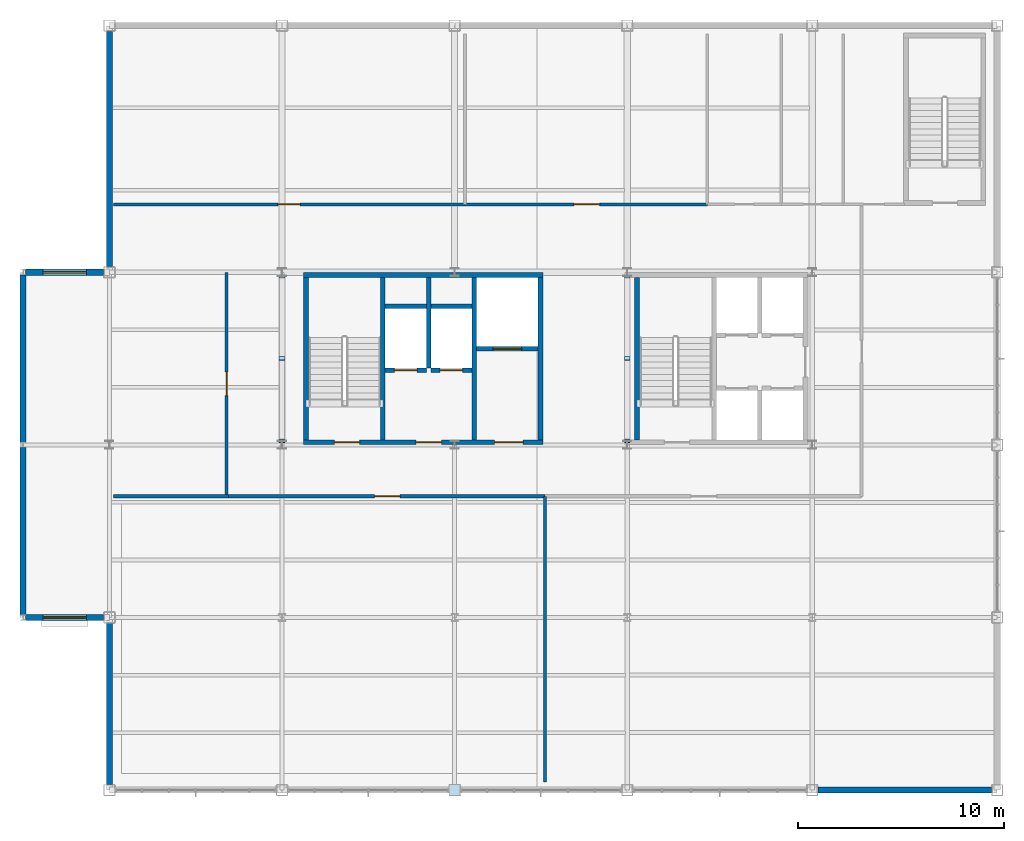
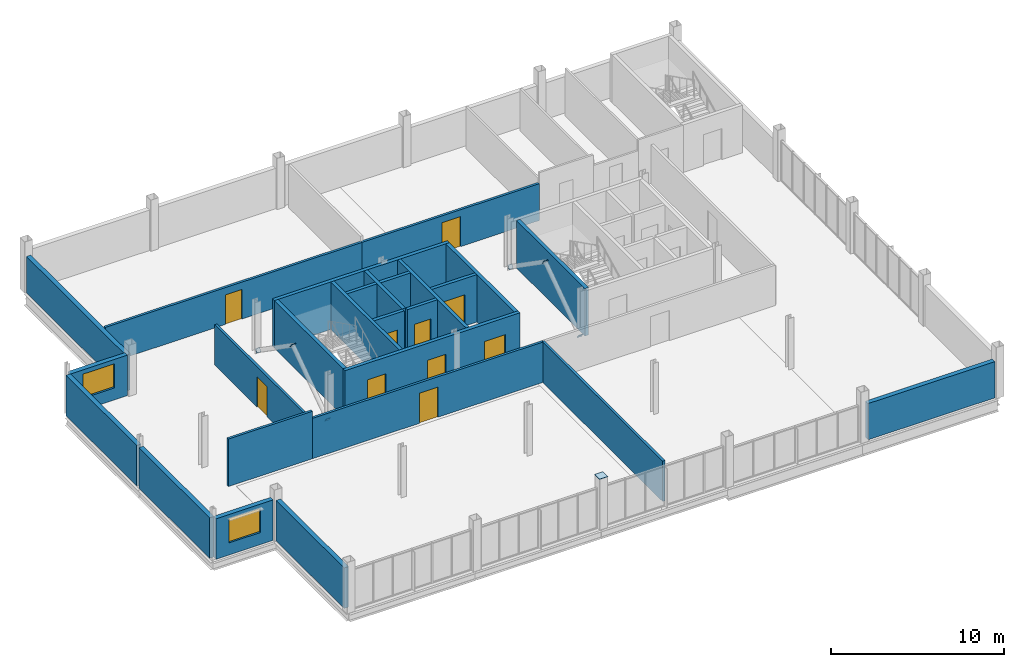
# One storey, part 14 of 18: 26 walls, 10 doors, 7 plates, 2 windows, 12 openings.
"""IFC4 building model written with IfcOpenShell, lengths in metres."""

from ifc_helpers import new_model, si_unit, direction, frame, frame_2d, origin, origin_2d, place, context, subcontext, project, spatial, rectangle, extrude, material, layer, layer_set, type_object, element, fill, save


model = new_model("IFC4")

# Units and contexts
model_context = context("Model", 3, precision=1e-05, world=origin(), true_north=direction((0.0, 1.0)))
body_context = subcontext(model_context, "Body", "Model", "MODEL_VIEW")
ifc_project = project(units=[si_unit("LENGTHUNIT", "METRE"), si_unit("AREAUNIT", "SQUARE_METRE"), si_unit("VOLUMEUNIT", "CUBIC_METRE"), si_unit("PLANEANGLEUNIT", "RADIAN"), si_unit("MASSUNIT", "GRAM", prefix="KILO")], contexts=[model_context])

# Site, building, storey
site_placement = place(None, origin())
site = spatial("IfcSite", under=ifc_project, at=site_placement, CompositionType="ELEMENT")
building_placement = place(site_placement, origin())
building = spatial("IfcBuilding", under=site, at=building_placement, Name="Yukiwa Park Conservatory and Herbarium", CompositionType="ELEMENT")
storey_placement = place(building_placement, frame((0.0, 0.0, 24.60009765625)))
storey = spatial("IfcBuildingStorey", under=building, at=storey_placement, Name="L06", CompositionType="ELEMENT", Elevation=24.60009765625)

# Plates
ifc_material_1 = material(Name="Steel Q355D", Category="steel")
ifc_layer_1 = layer(ifc_material_1, 0.02392578125)
ifc_layer_set_1 = layer_set([ifc_layer_1], Name="Steel Q355D")
plate_type_1 = type_object("IfcPlateType", Name="PL-CAP-24", PredefinedType="USERDEFINED", material=ifc_layer_set_1)
plate_placement = place(storey_placement, frame((141.60009765625, 78.0, 3.575927734375), z_axis=(0.0, 0.0, 1.0), x_axis=(1.0, 0.0, 0.0)))
element("IfcPlate", 1, at=plate_placement, inside=storey, type_object=plate_type_1, Name="Hollow section end cap plate CAP-COL-L06-V5-X1416-Y780", ObjectType="END CAP PLATE", PredefinedType="USERDEFINED", context=body_context, shape_type="SweptSolid", body=[
    extrude(rectangle(XDim=0.55810546875, YDim=0.55810546875, at=origin_2d()), origin(), (0.0, 0.0, 1.0), 0.02392578125),
])
ifc_material_2 = material(Name="Steel Q355D", Category="steel")
ifc_layer_2 = layer(ifc_material_2, 0.02392578125)
ifc_layer_set_2 = layer_set([ifc_layer_2], Name="Steel Q355D")
plate_type_2 = type_object("IfcPlateType", Name="PL-CAP-24-INT", PredefinedType="USERDEFINED", material=ifc_layer_set_2)
for number, where, z_axis, x_axis, name in (
    (2, (133.199951171875, 95.001953125, 0.18994140625), (0.0, -0.822557603224, -0.56868179976), (1.0, 0.0, 0.0), "Hollow section end cap plate CAP-BR-L06-037A"),
    (3, (133.199951171875, 98.993408203125, 2.96533203125), (0.0, 0.822557603224, 0.56868179976), (-1.0, 0.0, 0.0), "Hollow section end cap plate CAP-BR-L06-037B"),
    (4, (133.199951171875, 102.998046875, 0.18994140625), (0.0, 0.822557603224, -0.56868179976), (-1.0, 0.0, 0.0), "Hollow section end cap plate CAP-BR-L06-038A"),
    (5, (150.0, 95.001953125, 0.18994140625), (0.0, -0.822557603224, -0.56868179976), (1.0, 0.0, 0.0), "Hollow section end cap plate CAP-BR-L06-039A"),
    (6, (150.0, 98.993408203125, 2.96533203125), (0.0, 0.822557603224, 0.56868179976), (-1.0, 0.0, 0.0), "Hollow section end cap plate CAP-BR-L06-039B"),
    (7, (150.0, 102.998046875, 0.18994140625), (0.0, 0.822557603224, -0.56868179976), (-1.0, 0.0, 0.0), "Hollow section end cap plate CAP-BR-L06-040A"),
):
    element("IfcPlate", number, at=place(storey_placement, frame(where, z_axis=z_axis, x_axis=x_axis)), inside=storey, type_object=plate_type_2, Name=name, ObjectType="END CAP PLATE", PredefinedType="USERDEFINED", context=body_context, shape_type="SweptSolid", body=[
        extrude(rectangle(XDim=0.281005859375, YDim=0.281005859375, at=origin_2d()), origin(), (0.0, 0.0, 1.0), 0.02392578125),
    ])

# Walls
ifc_material_3 = material(Name="Concrete C40", Category="concrete")
ifc_layer_3 = layer(ifc_material_3, 0.219970703125)
ifc_layer_set_3 = layer_set([ifc_layer_3], Name="Concrete C40")
wall_type_1 = type_object("IfcWallType", Name="WL-CORE-RC220", PredefinedType="SHEAR", material=ifc_layer_set_3)
wall_1_placement = place(storey_placement, frame((138.110107421875, 95.050048828125, 0.0), z_axis=(0.0, 0.0, 1.0), x_axis=(0.0, 1.0, 0.0)))
element("IfcWall", 8, at=wall_1_placement, inside=storey, type_object=wall_type_1, Name="L06 core shear wall 431", PredefinedType="SHEAR", context=body_context, shape_type="SweptSolid", body=[
    extrude(rectangle(XDim=7.89990234375, YDim=0.219970703125, at=frame_2d((3.949951171875, 0.0))), origin(), (0.0, 0.0, 1.0), 3.344970703125),
])
wall_2_placement = place(storey_placement, frame((140.330078125, 98.5400390625, 0.0), z_axis=(0.0, 0.0, 1.0), x_axis=(0.0, 1.0, 0.0)))
element("IfcWall", 9, at=wall_2_placement, inside=storey, type_object=wall_type_1, Name="L06 core shear wall 432", PredefinedType="SHEAR", context=body_context, shape_type="SweptSolid", body=[
    extrude(rectangle(XDim=4.409912109375, YDim=0.219970703125, at=frame_2d((2.205078125, 0.0))), origin(), (0.0, 0.0, 1.0), 3.344970703125),
])
wall_3_placement = place(storey_placement, frame((142.550048828125, 95.050048828125, 0.0), z_axis=(0.0, 0.0, 1.0), x_axis=(0.0, 1.0, 0.0)))
element("IfcWall", 10, at=wall_3_placement, inside=storey, type_object=wall_type_1, Name="L06 core shear wall 433", PredefinedType="SHEAR", context=body_context, shape_type="SweptSolid", body=[
    extrude(rectangle(XDim=7.89990234375, YDim=0.219970703125, at=frame_2d((3.949951171875, 0.0))), origin(), (0.0, 0.0, 1.0), 3.344970703125),
])

# Wall, opening, door
wall_4_placement = place(storey_placement, frame((138.219970703125, 98.429931640625, 0.0), z_axis=(0.0, 0.0, 1.0), x_axis=(1.0, 0.0, 0.0)))
wall_4 = element("IfcWall", 11, at=wall_4_placement, inside=storey, type_object=wall_type_1, Name="L06 core shear wall 435", PredefinedType="SHEAR", context=body_context, shape_type="SweptSolid", body=[
    extrude(rectangle(XDim=2.0, YDim=0.219970703125, at=frame_2d((1.0, 0.0))), origin(), (0.0, 0.0, 1.0), 3.344970703125),
])
opening_1_placement = place(wall_4_placement, frame((0.449951171875, 0.0, 0.0)))
opening_1 = element("IfcOpeningElement", 12, at=opening_1_placement, cuts=wall_4, Name="Opening LD-01", PredefinedType="OPENING", context=body_context, shape_type="SweptSolid", body=[
    extrude(rectangle(XDim=1.10009765625, YDim=2.14990234375, at=frame_2d((0.550048828125, 1.074951171875))), frame((0.0, 0.1201171875, 0.0), z_axis=(0.0, -1.0, 0.0), x_axis=(1.0, 0.0, 0.0)), (0.0, 0.0, 1.0), 0.239990234375),
])
ifc_material_4 = material(Name="Steel Q235B", Category="steel")
door_type_1 = type_object("IfcDoorType", Name="DR-LIFT-LD1100", OperationType="SLIDING_TO_LEFT", PredefinedType="DOOR", material=ifc_material_4)
door_1_placement = place(opening_1_placement, origin())
door_1 = element("IfcDoor", 13, at=door_1_placement, inside=storey, type_object=door_type_1, Name="L06 Firefighting Lift FL1 sliding landing door", OperationType="SLIDING_TO_LEFT", OverallHeight=2.14990234375, OverallWidth=1.10009765625, PredefinedType="DOOR", context=body_context, shape_type="SweptSolid", body=[
    extrude(rectangle(XDim=1.10009765625, YDim=2.14990234375, at=frame_2d((0.550048828125, 1.074951171875))), frame((0.0, 0.02490234375, 0.0), z_axis=(0.0, -1.0, 0.0), x_axis=(1.0, 0.0, 0.0)), (0.0, 0.0, 1.0), 0.050048828125),
])
fill(opening_1, door_1)

wall_5_placement = place(storey_placement, frame((140.43994140625, 98.429931640625, 0.0), z_axis=(0.0, 0.0, 1.0), x_axis=(1.0, 0.0, 0.0)))
wall_5 = element("IfcWall", 14, at=wall_5_placement, inside=storey, type_object=wall_type_1, Name="L06 core shear wall 436", PredefinedType="SHEAR", context=body_context, shape_type="SweptSolid", body=[
    extrude(rectangle(XDim=2.0, YDim=0.219970703125, at=frame_2d((1.0, 0.0))), origin(), (0.0, 0.0, 1.0), 3.344970703125),
])
opening_2_placement = place(wall_5_placement, frame((0.449951171875, 0.0, 0.0)))
opening_2 = element("IfcOpeningElement", 15, at=opening_2_placement, cuts=wall_5, Name="Opening LD-01", PredefinedType="OPENING", context=body_context, shape_type="SweptSolid", body=[
    extrude(rectangle(XDim=1.10009765625, YDim=2.14990234375, at=frame_2d((0.550048828125, 1.074951171875))), frame((0.0, 0.1201171875, 0.0), z_axis=(0.0, -1.0, 0.0), x_axis=(1.0, 0.0, 0.0)), (0.0, 0.0, 1.0), 0.239990234375),
])
door_2_placement = place(opening_2_placement, origin())
door_2 = element("IfcDoor", 16, at=door_2_placement, inside=storey, type_object=door_type_1, Name="L06 Firefighting Lift FL2 sliding landing door", OperationType="SLIDING_TO_LEFT", OverallHeight=2.14990234375, OverallWidth=1.10009765625, PredefinedType="DOOR", context=body_context, shape_type="SweptSolid", body=[
    extrude(rectangle(XDim=1.10009765625, YDim=2.14990234375, at=frame_2d((0.550048828125, 1.074951171875))), frame((0.0, 0.02490234375, 0.0), z_axis=(0.0, -1.0, 0.0), x_axis=(1.0, 0.0, 0.0)), (0.0, 0.0, 1.0), 0.050048828125),
])
fill(opening_2, door_2)

# Walls
for number, where, z_axis, x_axis, name in (
    (17, (138.219970703125, 101.550048828125, 0.0), (0.0, 0.0, 1.0), (1.0, 0.0, 0.0), "L06 core shear wall 437"),
    (18, (140.43994140625, 101.550048828125, 0.0), (0.0, 0.0, 1.0), (1.0, 0.0, 0.0), "L06 core shear wall 438"),
):
    element("IfcWall", number, at=place(storey_placement, frame(where, z_axis=z_axis, x_axis=x_axis)), inside=storey, type_object=wall_type_1, Name=name, PredefinedType="SHEAR", context=body_context, shape_type="SweptSolid", body=[
        extrude(rectangle(XDim=2.0, YDim=0.219970703125, at=frame_2d((1.0, 0.0))), origin(), (0.0, 0.0, 1.0), 3.344970703125),
    ])

# Wall, opening, door
wall_6_placement = place(storey_placement, frame((142.659912109375, 99.489990234375, 0.0), z_axis=(0.0, 0.0, 1.0), x_axis=(1.0, 0.0, 0.0)))
wall_6 = element("IfcWall", 19, at=wall_6_placement, inside=storey, type_object=wall_type_1, Name="L06 core shear wall 439", PredefinedType="SHEAR", context=body_context, shape_type="SweptSolid", body=[
    extrude(rectangle(XDim=3.0, YDim=0.219970703125, at=frame_2d((1.5, 0.0))), origin(), (0.0, 0.0, 1.0), 3.344970703125),
])
opening_3_placement = place(wall_6_placement, frame((0.800048828125, 0.0, 0.0)))
opening_3 = element("IfcOpeningElement", 20, at=opening_3_placement, cuts=wall_6, Name="Opening LD-02", PredefinedType="OPENING", context=body_context, shape_type="SweptSolid", body=[
    extrude(rectangle(XDim=1.39990234375, YDim=2.199951171875, at=frame_2d((0.699951171875, 1.10009765625))), frame((0.0, 0.1201171875, 0.0), z_axis=(0.0, -1.0, 0.0), x_axis=(1.0, 0.0, 0.0)), (0.0, 0.0, 1.0), 0.239990234375),
])
ifc_material_5 = material(Name="Steel Q235B", Category="steel")
door_type_2 = type_object("IfcDoorType", Name="DR-LIFT-LD1400", OperationType="SLIDING_TO_LEFT", PredefinedType="DOOR", material=ifc_material_5)
door_3_placement = place(opening_3_placement, origin())
door_3 = element("IfcDoor", 21, at=door_3_placement, inside=storey, type_object=door_type_2, Name="L06 Goods Lift GL1 sliding landing door", OperationType="SLIDING_TO_LEFT", OverallHeight=2.199951171875, OverallWidth=1.39990234375, PredefinedType="DOOR", context=body_context, shape_type="SweptSolid", body=[
    extrude(rectangle(XDim=1.39990234375, YDim=2.199951171875, at=frame_2d((0.699951171875, 1.10009765625))), frame((0.0, 0.02490234375, 0.0), z_axis=(0.0, -1.0, 0.0), x_axis=(1.0, 0.0, 0.0)), (0.0, 0.0, 1.0), 0.050048828125),
])
fill(opening_3, door_3)

# Wall, openings, doors
ifc_material_6 = material(Name="Concrete C50", Category="concrete")
ifc_layer_4 = layer(ifc_material_6, 0.239990234375)
ifc_layer_set_4 = layer_set([ifc_layer_4], Name="Concrete C50")
wall_type_2 = type_object("IfcWallType", Name="WL-CORE-RC240", PredefinedType="SHEAR", material=ifc_layer_set_4)
wall_7_placement = place(storey_placement, frame((134.25, 94.929931640625, 0.0), z_axis=(0.0, 0.0, 1.0), x_axis=(1.0, 0.0, 0.0)))
wall_7 = element("IfcWall", 22, at=wall_7_placement, inside=storey, type_object=wall_type_2, Name="L06 core shear wall 428", PredefinedType="SHEAR", context=body_context, shape_type="SweptSolid", body=[
    extrude(rectangle(XDim=11.64990234375, YDim=0.239990234375, at=frame_2d((5.824951171875, 0.0))), origin(), (0.0, 0.0, 1.0), 3.344970703125),
])
opening_4_placement = place(wall_7_placement, frame((1.5, 0.0, 0.0)))
opening_4 = element("IfcOpeningElement", 23, at=opening_4_placement, cuts=wall_7, Name="Opening SD-01", PredefinedType="OPENING", context=body_context, shape_type="SweptSolid", body=[
    extrude(rectangle(XDim=1.219970703125, YDim=2.179931640625, at=frame_2d((0.60986328125, 1.08984375))), frame((0.0, 0.1298828125, 0.0), z_axis=(0.0, -1.0, 0.0), x_axis=(1.0, 0.0, 0.0)), (0.0, 0.0, 1.0), 0.260009765625),
])
opening_5_placement = place(wall_7_placement, frame((5.47998046875, 0.0, 0.0)))
opening_5 = element("IfcOpeningElement", 24, at=opening_5_placement, cuts=wall_7, Name="Opening FD-02", PredefinedType="OPENING", context=body_context, shape_type="SweptSolid", body=[
    extrude(rectangle(XDim=1.239990234375, YDim=2.14990234375, at=frame_2d((0.6201171875, 1.074951171875))), frame((0.0, 0.1298828125, 0.0), z_axis=(0.0, -1.0, 0.0), x_axis=(1.0, 0.0, 0.0)), (0.0, 0.0, 1.0), 0.260009765625),
])
opening_6_placement = place(wall_7_placement, frame((9.300048828125, 0.0, 0.0)))
opening_6 = element("IfcOpeningElement", 25, at=opening_6_placement, cuts=wall_7, Name="Opening FD-06", PredefinedType="OPENING", context=body_context, shape_type="SweptSolid", body=[
    extrude(rectangle(XDim=1.3798828125, YDim=2.14990234375, at=frame_2d((0.68994140625, 1.074951171875))), frame((0.0, 0.1298828125, 0.0), z_axis=(0.0, -1.0, 0.0), x_axis=(1.0, 0.0, 0.0)), (0.0, 0.0, 1.0), 0.260009765625),
])
ifc_material_7 = material(Name="Steel Q235B", Category="steel")
door_type_3 = type_object("IfcDoorType", Name="DR-FIRE-FD60-1400", OperationType="DOUBLE_DOOR_SINGLE_SWING", PredefinedType="DOOR", material=ifc_material_7)
door_4_placement = place(opening_6_placement, frame((1.3798828125, 0.0, 0.0), z_axis=(0.0, 0.0, 1.0), x_axis=(-1.0, 0.0, 0.0)))
door_4 = element("IfcDoor", 26, at=door_4_placement, inside=storey, type_object=door_type_3, Name="L06 Goods Lift Lobby double fire door", OperationType="DOUBLE_DOOR_SINGLE_SWING", OverallHeight=2.14990234375, OverallWidth=1.3798828125, PredefinedType="DOOR", context=body_context, shape_type="SweptSolid", body=[
    extrude(rectangle(XDim=1.3798828125, YDim=2.14990234375, at=frame_2d((0.68994140625, 1.074951171875))), frame((0.0, 0.02490234375, 0.0), z_axis=(0.0, -1.0, 0.0), x_axis=(1.0, 0.0, 0.0)), (0.0, 0.0, 1.0), 0.050048828125),
])
fill(opening_6, door_4)
ifc_material_8 = material(Name="Steel Q235B", Category="steel")
door_type_4 = type_object("IfcDoorType", Name="DR-FIRE-FD90-1200", OperationType="SINGLE_SWING_RIGHT", PredefinedType="DOOR", material=ifc_material_8)
door_5_placement = place(opening_5_placement, frame((1.239990234375, 0.0, 0.0), z_axis=(0.0, 0.0, 1.0), x_axis=(-1.0, 0.0, 0.0)))
door_5 = element("IfcDoor", 27, at=door_5_placement, inside=storey, type_object=door_type_4, Name="L06 Firefighting Lift Lobby fire door", OperationType="SINGLE_SWING_RIGHT", OverallHeight=2.14990234375, OverallWidth=1.239990234375, PredefinedType="DOOR", context=body_context, shape_type="SweptSolid", body=[
    extrude(rectangle(XDim=1.239990234375, YDim=2.14990234375, at=frame_2d((0.6201171875, 1.074951171875))), frame((0.0, 0.02490234375, 0.0), z_axis=(0.0, -1.0, 0.0), x_axis=(1.0, 0.0, 0.0)), (0.0, 0.0, 1.0), 0.050048828125),
])
fill(opening_5, door_5)
ifc_material_9 = material(Name="Steel Q235B", Category="steel")
door_type_5 = type_object("IfcDoorType", Name="DR-STAIR-FD90-1200", OperationType="SINGLE_SWING_LEFT", PredefinedType="DOOR", material=ifc_material_9)
door_6_placement = place(opening_4_placement, origin())
door_6 = element("IfcDoor", 28, at=door_6_placement, inside=storey, type_object=door_type_5, Name="L06 Stairwell ST-T1 fire door", OperationType="SINGLE_SWING_LEFT", OverallHeight=2.179931640625, OverallWidth=1.219970703125, PredefinedType="DOOR", context=body_context, shape_type="SweptSolid", body=[
    extrude(rectangle(XDim=1.219970703125, YDim=2.179931640625, at=frame_2d((0.60986328125, 1.08984375))), frame((0.0, 0.02490234375, 0.0), z_axis=(0.0, -1.0, 0.0), x_axis=(1.0, 0.0, 0.0)), (0.0, 0.0, 1.0), 0.050048828125),
])
fill(opening_4, door_6)

# Walls
wall_8_placement = place(storey_placement, frame((134.25, 103.070068359375, 0.0), z_axis=(0.0, 0.0, 1.0), x_axis=(1.0, 0.0, 0.0)))
element("IfcWall", 29, at=wall_8_placement, inside=storey, type_object=wall_type_2, Name="L06 core shear wall 429", PredefinedType="SHEAR", context=body_context, shape_type="SweptSolid", body=[
    extrude(rectangle(XDim=11.64990234375, YDim=0.239990234375, at=frame_2d((5.824951171875, 0.0))), origin(), (0.0, 0.0, 1.0), 3.344970703125),
])
for number, where, z_axis, x_axis, name in (
    (30, (134.3701171875, 95.050048828125, 0.0), (0.0, 0.0, 1.0), (0.0, 1.0, 0.0), "L06 core shear wall 430"),
    (31, (145.780029296875, 95.050048828125, 0.0), (0.0, 0.0, 1.0), (0.0, 1.0, 0.0), "L06 core shear wall 434"),
    (32, (150.47998046875, 95.050048828125, 0.0), (0.0, 0.0, 1.0), (0.0, 1.0, 0.0), "L06 core shear wall 442"),
):
    element("IfcWall", number, at=place(storey_placement, frame(where, z_axis=z_axis, x_axis=x_axis)), inside=storey, type_object=wall_type_2, Name=name, PredefinedType="SHEAR", context=body_context, shape_type="SweptSolid", body=[
        extrude(rectangle(XDim=7.89990234375, YDim=0.239990234375, at=frame_2d((3.949951171875, 0.0))), origin(), (0.0, 0.0, 1.0), 3.344970703125),
    ])

# Wall, opening, window
ifc_material_10 = material(Name="Pale Granite Cladding", Category="masonry")
ifc_layer_5 = layer(ifc_material_10, 0.300048828125)
ifc_layer_set_5 = layer_set([ifc_layer_5], Name="Pale Granite Cladding")
wall_type_3 = type_object("IfcWallType", Name="WL-EXT-GRAN-300", PredefinedType="SOLIDWALL", material=ifc_layer_set_5)
wall_9_placement = place(storey_placement, frame((120.72509765625, 86.39990234375, 0.0), z_axis=(0.0, 0.0, 1.0), x_axis=(1.0, 0.0, 0.0)))
wall_9 = element("IfcWall", 33, at=wall_9_placement, inside=storey, type_object=wall_type_3, Name="L06 exterior envelope wall 289", PredefinedType="SOLIDWALL", context=body_context, shape_type="SweptSolid", body=[
    extrude(rectangle(XDim=3.7998046875, YDim=0.300048828125, at=frame_2d((1.89990234375, 0.0))), origin(), (0.0, 0.0, 1.0), 2.850830078125),
])
opening_7_placement = place(wall_9_placement, frame((0.85009765625, 0.0, 0.85009765625)))
opening_7 = element("IfcOpeningElement", 34, at=opening_7_placement, cuts=wall_9, Name="Opening W-08", PredefinedType="OPENING", context=body_context, shape_type="SweptSolid", body=[
    extrude(rectangle(XDim=2.10009765625, YDim=1.699951171875, at=frame_2d((1.050048828125, 0.85009765625))), frame((0.0, 0.16015625, 0.0), z_axis=(0.0, -1.0, 0.0), x_axis=(1.0, 0.0, 0.0)), (0.0, 0.0, 1.0), 0.320068359375),
])
ifc_material_11 = material(Name="Triple Low-E Insulated Glass", Category="glass")
window_type = type_object("IfcWindowType", Name="WN-TW-2100X2100", PartitioningType="SINGLE_PANEL", PredefinedType="WINDOW", material=ifc_material_11)
window_1_placement = place(opening_7_placement, origin())
window_1 = element("IfcWindow", 35, at=window_1_placement, inside=storey, type_object=window_type, Name="L06 deep-reveal triple-glazed window 233", OverallHeight=1.699951171875, OverallWidth=2.10009765625, PartitioningType="SINGLE_PANEL", PredefinedType="WINDOW", context=body_context, shape_type="SweptSolid", body=[
    extrude(rectangle(XDim=2.10009765625, YDim=1.699951171875, at=frame_2d((1.050048828125, 0.85009765625))), frame((0.0, 0.030029296875, 0.0), z_axis=(0.0, -1.0, 0.0), x_axis=(1.0, 0.0, 0.0)), (0.0, 0.0, 1.0), 0.06005859375),
])
fill(opening_7, window_1)

# Walls
wall_10_placement = place(storey_placement, frame((124.800048828125, 86.125, 0.0), z_axis=(0.0, 0.0, 1.0), x_axis=(0.0, -1.0, 0.0)))
element("IfcWall", 36, at=wall_10_placement, inside=storey, type_object=wall_type_3, Name="L06 exterior envelope wall 290", PredefinedType="SOLIDWALL", context=body_context, shape_type="SweptSolid", body=[
    extrude(rectangle(XDim=7.85009765625, YDim=0.300048828125, at=frame_2d((3.925048828125, 0.0))), origin(), (0.0, 0.0, 1.0), 2.844970703125),
])
wall_11_placement = place(storey_placement, frame((159.27490234375, 78.0, 0.0), z_axis=(0.0, 0.0, 1.0), x_axis=(1.0, 0.0, 0.0)))
element("IfcWall", 37, at=wall_11_placement, inside=storey, type_object=wall_type_3, Name="L06 exterior envelope wall 291", PredefinedType="SOLIDWALL", context=body_context, shape_type="SweptSolid", body=[
    extrude(rectangle(XDim=8.4501953125, YDim=0.300048828125, at=frame_2d((4.22509765625, 0.0))), origin(), (0.0, 0.0, 1.0), 2.552978515625),
])
wall_12_placement = place(storey_placement, frame((124.800048828125, 114.925048828125, 0.0), z_axis=(0.0, 0.0, 1.0), x_axis=(0.0, -1.0, 0.0)))
element("IfcWall", 38, at=wall_12_placement, inside=storey, type_object=wall_type_3, Name="L06 exterior envelope wall 299", PredefinedType="SOLIDWALL", context=body_context, shape_type="SweptSolid", body=[
    extrude(rectangle(XDim=11.449951171875, YDim=0.300048828125, at=frame_2d((5.72509765625, 0.0))), origin(), (0.0, 0.0, 1.0), 2.552978515625),
])

# Wall, opening, window
wall_13_placement = place(storey_placement, frame((124.52490234375, 103.199951171875, 0.0), z_axis=(0.0, 0.0, 1.0), x_axis=(-1.0, 0.0, 0.0)))
wall_13 = element("IfcWall", 39, at=wall_13_placement, inside=storey, type_object=wall_type_3, Name="L06 exterior envelope wall 300", PredefinedType="SOLIDWALL", context=body_context, shape_type="SweptSolid", body=[
    extrude(rectangle(XDim=3.7998046875, YDim=0.300048828125, at=frame_2d((1.89990234375, 0.0))), origin(), (0.0, 0.0, 1.0), 2.850830078125),
])
opening_8_placement = place(wall_13_placement, frame((0.85009765625, 0.0, 0.85009765625)))
opening_8 = element("IfcOpeningElement", 40, at=opening_8_placement, cuts=wall_13, Name="Opening W-08", PredefinedType="OPENING", context=body_context, shape_type="SweptSolid", body=[
    extrude(rectangle(XDim=2.10009765625, YDim=1.699951171875, at=frame_2d((1.050048828125, 0.85009765625))), frame((0.0, 0.16015625, 0.0), z_axis=(0.0, -1.0, 0.0), x_axis=(1.0, 0.0, 0.0)), (0.0, 0.0, 1.0), 0.320068359375),
])
window_2_placement = place(opening_8_placement, origin())
window_2 = element("IfcWindow", 41, at=window_2_placement, inside=storey, type_object=window_type, Name="L06 deep-reveal triple-glazed window 234", OverallHeight=1.699951171875, OverallWidth=2.10009765625, PartitioningType="SINGLE_PANEL", PredefinedType="WINDOW", context=body_context, shape_type="SweptSolid", body=[
    extrude(rectangle(XDim=2.10009765625, YDim=1.699951171875, at=frame_2d((1.050048828125, 0.85009765625))), frame((0.0, 0.030029296875, 0.0), z_axis=(0.0, -1.0, 0.0), x_axis=(1.0, 0.0, 0.0)), (0.0, 0.0, 1.0), 0.06005859375),
])
fill(opening_8, window_2)

# Walls
wall_14_placement = place(storey_placement, frame((120.60009765625, 103.074951171875, 0.0), z_axis=(0.0, 0.0, 1.0), x_axis=(0.0, -1.0, 0.0)))
element("IfcWall", 42, at=wall_14_placement, inside=storey, type_object=wall_type_3, Name="L06 exterior envelope wall 301", PredefinedType="SOLIDWALL", context=body_context, shape_type="SweptSolid", body=[
    extrude(rectangle(XDim=8.14990234375, YDim=0.300048828125, at=frame_2d((4.074951171875, 0.0))), origin(), (0.0, 0.0, 1.0), 2.844970703125),
])
wall_15_placement = place(storey_placement, frame((120.60009765625, 94.675048828125, 0.0), z_axis=(0.0, 0.0, 1.0), x_axis=(0.0, -1.0, 0.0)))
element("IfcWall", 43, at=wall_15_placement, inside=storey, type_object=wall_type_3, Name="L06 exterior envelope wall 302", PredefinedType="SOLIDWALL", context=body_context, shape_type="SweptSolid", body=[
    extrude(rectangle(XDim=8.150146484375, YDim=0.300048828125, at=frame_2d((4.0751953125, 0.0))), origin(), (0.0, 0.0, 1.0), 2.844970703125),
])

# Wall, opening, door
ifc_material_12 = material(Name="Gypsum Board Partition", Category="gypsum")
ifc_layer_6 = layer(ifc_material_12, 0.159912109375)
ifc_layer_set_6 = layer_set([ifc_layer_6], Name="Gypsum Board Partition")
wall_type_4 = type_object("IfcWallType", Name="WL-PART-GYP-160", PredefinedType="PARTITIONING", material=ifc_layer_set_6)
wall_16_placement = place(storey_placement, frame((130.60009765625, 92.300048828125, 0.0), z_axis=(0.0, 0.0, 1.0), x_axis=(1.0, 0.0, 0.0)))
wall_16 = element("IfcWall", 44, at=wall_16_placement, inside=storey, type_object=wall_type_4, Name="L06 interior partition wall 462", PredefinedType="PARTITIONING", context=body_context, shape_type="SweptSolid", body=[
    extrude(rectangle(XDim=15.39990234375, YDim=0.159912109375, at=frame_2d((7.699951171875, 0.0))), origin(), (0.0, 0.0, 1.0), 2.844970703125),
])
opening_9_placement = place(wall_16_placement, frame((7.10009765625, 0.0, 0.0)))
opening_9 = element("IfcOpeningElement", 45, at=opening_9_placement, cuts=wall_16, Name="Opening LD-12", PredefinedType="OPENING", context=body_context, shape_type="SweptSolid", body=[
    extrude(rectangle(XDim=1.25, YDim=2.1201171875, at=frame_2d((0.625, 1.06005859375))), frame((0.0, 0.08984375, 0.0), z_axis=(0.0, -1.0, 0.0), x_axis=(1.0, 0.0, 0.0)), (0.0, 0.0, 1.0), 0.179931640625),
])
ifc_material_13 = material(Name="Steel Q235B", Category="steel")
door_type_6 = type_object("IfcDoorType", Name="DR-LAB-1200", OperationType="SINGLE_SWING_LEFT", PredefinedType="DOOR", material=ifc_material_13)
door_7_placement = place(opening_9_placement, origin())
door_7 = element("IfcDoor", 46, at=door_7_placement, inside=storey, type_object=door_type_6, Name="L06 Genetics Research Laboratory door", OperationType="SINGLE_SWING_LEFT", OverallHeight=2.1201171875, OverallWidth=1.25, PredefinedType="DOOR", context=body_context, shape_type="SweptSolid", body=[
    extrude(rectangle(XDim=1.25, YDim=2.1201171875, at=frame_2d((0.625, 1.06005859375))), frame((0.0, 0.02490234375, 0.0), z_axis=(0.0, -1.0, 0.0), x_axis=(1.0, 0.0, 0.0)), (0.0, 0.0, 1.0), 0.050048828125),
])
fill(opening_9, door_7)

# Walls
wall_17_placement = place(storey_placement, frame((125.0, 92.300048828125, 0.0), z_axis=(0.0, 0.0, 1.0), x_axis=(1.0, 0.0, 0.0)))
element("IfcWall", 47, at=wall_17_placement, inside=storey, type_object=wall_type_4, Name="L06 interior partition wall 464", PredefinedType="PARTITIONING", context=body_context, shape_type="SweptSolid", body=[
    extrude(rectangle(XDim=5.60009765625, YDim=0.159912109375, at=frame_2d((2.800048828125, 0.0))), origin(), (0.0, 0.0, 1.0), 3.344970703125),
])
wall_18_placement = place(storey_placement, frame((146.0, 78.39990234375, 0.0), z_axis=(0.0, 0.0, 1.0), x_axis=(0.0, 1.0, 0.0)))
element("IfcWall", 48, at=wall_18_placement, inside=storey, type_object=wall_type_4, Name="L06 interior partition wall 465", PredefinedType="PARTITIONING", context=body_context, shape_type="SweptSolid", body=[
    extrude(rectangle(XDim=13.900146484375, YDim=0.159912109375, at=frame_2d((6.9501953125, 0.0))), origin(), (0.0, 0.0, 1.0), 2.844970703125),
])

# Wall, opening, door
wall_19_placement = place(storey_placement, frame((130.5, 92.300048828125, 0.0), z_axis=(0.0, 0.0, 1.0), x_axis=(0.0, 1.0, 0.0)))
wall_19 = element("IfcWall", 49, at=wall_19_placement, inside=storey, type_object=wall_type_4, Name="L06 interior partition wall 466", PredefinedType="PARTITIONING", context=body_context, shape_type="SweptSolid", body=[
    extrude(rectangle(XDim=10.89990234375, YDim=0.159912109375, at=frame_2d((5.449951171875, 0.0))), origin(), (0.0, 0.0, 1.0), 2.844970703125),
])
opening_10_placement = place(wall_19_placement, frame((4.89990234375, 0.0, 0.0)))
opening_10 = element("IfcOpeningElement", 50, at=opening_10_placement, cuts=wall_19, Name="Opening LD-11", PredefinedType="OPENING", context=body_context, shape_type="SweptSolid", body=[
    extrude(rectangle(XDim=1.139892578125, YDim=2.1201171875, at=frame_2d((0.56982421875, 1.06005859375))), frame((0.0, 0.08984375, 0.0), z_axis=(0.0, -1.0, 0.0), x_axis=(1.0, 0.0, 0.0)), (0.0, 0.0, 1.0), 0.179931640625),
])
ifc_material_14 = material(Name="Steel Q235B", Category="steel")
door_type_7 = type_object("IfcDoorType", Name="DR-LAB-1100", OperationType="SINGLE_SWING_RIGHT", PredefinedType="DOOR", material=ifc_material_14)
door_8_placement = place(opening_10_placement, origin())
door_8 = element("IfcDoor", 51, at=door_8_placement, inside=storey, type_object=door_type_7, Name="L06 Molecular Botany Lab door", OperationType="SINGLE_SWING_RIGHT", OverallHeight=2.1201171875, OverallWidth=1.139892578125, PredefinedType="DOOR", context=body_context, shape_type="SweptSolid", body=[
    extrude(rectangle(XDim=1.139892578125, YDim=2.1201171875, at=frame_2d((0.56982421875, 1.06005859375))), frame((0.0, 0.02490234375, 0.0), z_axis=(0.0, -1.0, 0.0), x_axis=(1.0, 0.0, 0.0)), (0.0, 0.0, 1.0), 0.050048828125),
])
fill(opening_10, door_8)

wall_20_placement = place(storey_placement, frame((125.0, 106.5, 0.0), z_axis=(0.0, 0.0, 1.0), x_axis=(1.0, 0.0, 0.0)))
wall_20 = element("IfcWall", 52, at=wall_20_placement, inside=storey, type_object=wall_type_4, Name="L06 interior partition wall 467", PredefinedType="PARTITIONING", context=body_context, shape_type="SweptSolid", body=[
    extrude(rectangle(XDim=17.10009765625, YDim=0.159912109375, at=frame_2d((8.550048828125, 0.0))), origin(), (0.0, 0.0, 1.0), 2.594970703125),
])
opening_11_placement = place(wall_20_placement, frame((8.0, 0.0, 0.0)))
opening_11 = element("IfcOpeningElement", 53, at=opening_11_placement, cuts=wall_20, Name="Opening ID-11", PredefinedType="OPENING", context=body_context, shape_type="SweptSolid", body=[
    extrude(rectangle(XDim=1.080078125, YDim=2.080078125, at=frame_2d((0.5400390625, 1.0400390625))), frame((0.0, 0.08984375, 0.0), z_axis=(0.0, -1.0, 0.0), x_axis=(1.0, 0.0, 0.0)), (0.0, 0.0, 1.0), 0.179931640625),
])
ifc_material_15 = material(Name="Charred Larch Cladding", Category="wood")
door_type_8 = type_object("IfcDoorType", Name="DR-INT-1100", OperationType="SINGLE_SWING_RIGHT", PredefinedType="DOOR", material=ifc_material_15)
door_9_placement = place(opening_11_placement, origin())
door_9 = element("IfcDoor", 54, at=door_9_placement, inside=storey, type_object=door_type_8, Name="L06 Bioinformatics Studio door", OperationType="SINGLE_SWING_RIGHT", OverallHeight=2.080078125, OverallWidth=1.080078125, PredefinedType="DOOR", context=body_context, shape_type="SweptSolid", body=[
    extrude(rectangle(XDim=1.080078125, YDim=2.080078125, at=frame_2d((0.5400390625, 1.0400390625))), frame((0.0, 0.02490234375, 0.0), z_axis=(0.0, -1.0, 0.0), x_axis=(1.0, 0.0, 0.0)), (0.0, 0.0, 1.0), 0.050048828125),
])
fill(opening_11, door_9)

wall_21_placement = place(storey_placement, frame((142.10009765625, 106.5, 0.0), z_axis=(0.0, 0.0, 1.0), x_axis=(1.0, 0.0, 0.0)))
wall_21 = element("IfcWall", 55, at=wall_21_placement, inside=storey, type_object=wall_type_4, Name="L06 interior partition wall 468", PredefinedType="PARTITIONING", context=body_context, shape_type="SweptSolid", body=[
    extrude(rectangle(XDim=11.7998046875, YDim=0.159912109375, at=frame_2d((5.89990234375, 0.0))), origin(), (0.0, 0.0, 1.0), 2.594970703125),
])
opening_12_placement = place(wall_21_placement, frame((5.300048828125, 0.0, 0.0)))
opening_12 = element("IfcOpeningElement", 56, at=opening_12_placement, cuts=wall_21, Name="Opening LD-12", PredefinedType="OPENING", context=body_context, shape_type="SweptSolid", body=[
    extrude(rectangle(XDim=1.25, YDim=2.1201171875, at=frame_2d((0.625, 1.06005859375))), frame((0.0, 0.08984375, 0.0), z_axis=(0.0, -1.0, 0.0), x_axis=(1.0, 0.0, 0.0)), (0.0, 0.0, 1.0), 0.179931640625),
])
door_10_placement = place(opening_12_placement, origin())
door_10 = element("IfcDoor", 57, at=door_10_placement, inside=storey, type_object=door_type_6, Name="L06 Instrument Room door", OperationType="SINGLE_SWING_LEFT", OverallHeight=2.1201171875, OverallWidth=1.25, PredefinedType="DOOR", context=body_context, shape_type="SweptSolid", body=[
    extrude(rectangle(XDim=1.25, YDim=2.1201171875, at=frame_2d((0.625, 1.06005859375))), frame((0.0, 0.02490234375, 0.0), z_axis=(0.0, -1.0, 0.0), x_axis=(1.0, 0.0, 0.0)), (0.0, 0.0, 1.0), 0.050048828125),
])
fill(opening_12, door_10)

save(model, "model.ifc")
